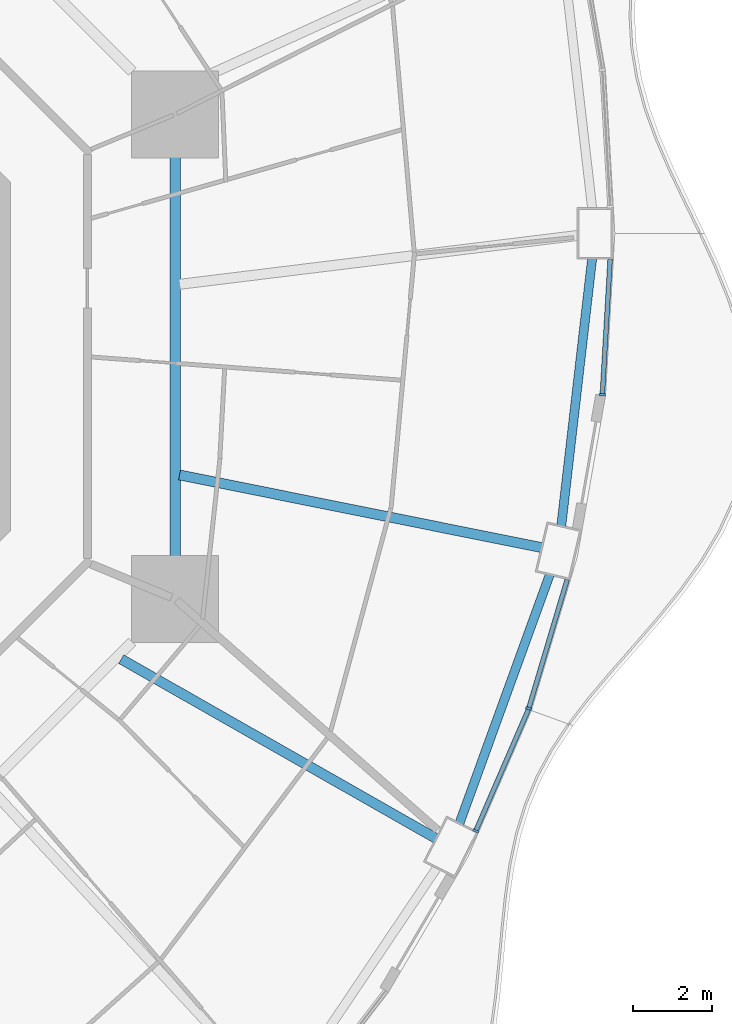
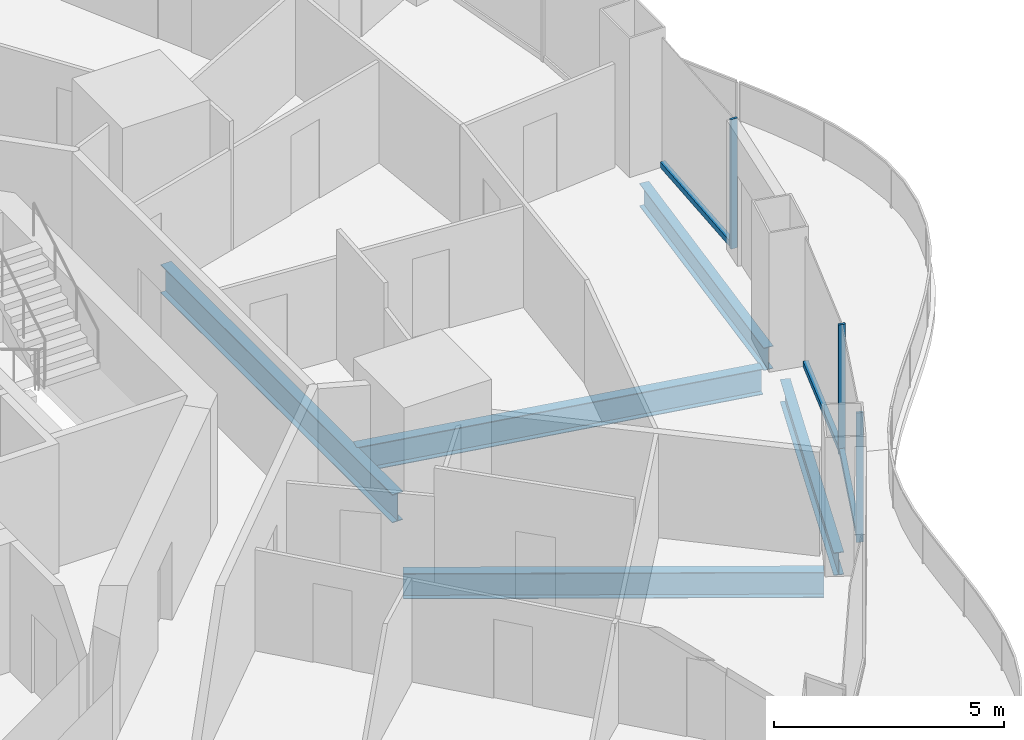
# One storey, part 6 of 22: 6 members, 5 beams, 3 elements without a shape of their own.
"""IFC4 building model written with IfcOpenShell, lengths in metres."""

from ifc_helpers import new_model, si_unit, direction, frame, origin, origin_2d, place, context, subcontext, project, spatial, rectangle, i_section, extrude, material, layer, layer_set, material_profile, profile_set, type_object, element, aggregate, save


model = new_model("IFC4")

# Units and contexts
model_context = context("Model", 3, precision=1e-05, world=origin(), true_north=direction((0.0, 1.0)))
body_context = subcontext(model_context, "Body", "Model", "MODEL_VIEW")
ifc_project = project(units=[si_unit("LENGTHUNIT", "METRE"), si_unit("AREAUNIT", "SQUARE_METRE"), si_unit("VOLUMEUNIT", "CUBIC_METRE"), si_unit("PLANEANGLEUNIT", "RADIAN"), si_unit("MASSUNIT", "GRAM", prefix="KILO")], contexts=[model_context])

# Site, building, storey
site_placement = place(None, origin())
site = spatial("IfcSite", under=ifc_project, at=site_placement, CompositionType="ELEMENT")
building_placement = place(site_placement, origin())
building = spatial("IfcBuilding", under=site, at=building_placement, Name="Nagisa Residences", CompositionType="ELEMENT")
storey_placement = place(building_placement, frame((0.0, 0.0, 84.39990234375)))
storey = spatial("IfcBuildingStorey", under=building, at=storey_placement, Name="L20", CompositionType="ELEMENT", Elevation=84.39990234375)

# Curtain wall, member
ifc_material_1 = material(Name="Concrete-coloured aluminium curtain wall system", Category="concrete")
ifc_layer = layer(ifc_material_1, 0.159912109375)
ifc_layer_set = layer_set([ifc_layer], Name="CW1 CURTAIN WALL")
curtain_wall_type = type_object("IfcCurtainWallType", Name="CW1 CURTAIN WALL", PredefinedType="NOTDEFINED", material=ifc_layer_set)
curtain_wall_1_placement = place(storey_placement, origin())
curtain_wall_1 = element("IfcCurtainWall", 1, at=curtain_wall_1_placement, inside=storey, type_object=curtain_wall_type, Name="cw:CW1:L20:44", PredefinedType="NOTDEFINED")
ifc_material_2 = material(Name="Concrete-coloured aluminium", Category="concrete")
ifc_material_profile_1 = material_profile(ifc_material_2, rectangle(XDim=0.159912109375, YDim=0.06005859375, at=origin_2d()), Name="CW1 MULLION 160x60")
ifc_profile_set_1 = profile_set([ifc_material_profile_1], Name="Concrete-coloured aluminium")
member_type_1 = type_object("IfcMemberType", Name="CW1 MULLION 160x60", PredefinedType="MULLION", material=ifc_profile_set_1)
member_1_placement = place(storey_placement, frame((22.381591796875, -11.984130859375, 0.0), z_axis=(0.0, 0.0, 1.0), x_axis=(-0.917543276295, 0.397635934147, 0.0)))
member_1 = element("IfcMember", 2, at=member_1_placement, type_object=member_type_1, Name="CW1 mullion", PredefinedType="MULLION", context=body_context, shape_type="SweptSolid", body=[
    extrude(rectangle(XDim=0.159912109375, YDim=0.06005859375, at=origin_2d()), origin(), (0.0, 0.0, 1.0), 3.440185546875),
])

curtain_wall_2_placement = place(storey_placement, origin())
curtain_wall_2 = element("IfcCurtainWall", 3, at=curtain_wall_2_placement, inside=storey, type_object=curtain_wall_type, Name="cw:CW1:L20:45", PredefinedType="NOTDEFINED")
member_2_placement = place(storey_placement, frame((23.71875, -8.890869140625, 0.0), z_axis=(0.0, 0.0, 1.0), x_axis=(-0.958271310082, 0.285860274038, 0.0)))
member_2 = element("IfcMember", 4, at=member_2_placement, type_object=member_type_1, Name="CW1 mullion", PredefinedType="MULLION", context=body_context, shape_type="SweptSolid", body=[
    extrude(rectangle(XDim=0.159912109375, YDim=0.06005859375, at=origin_2d()), origin(), (0.0, 0.0, 1.0), 3.440185546875),
])

curtain_wall_3_placement = place(storey_placement, origin())
curtain_wall_3 = element("IfcCurtainWall", 5, at=curtain_wall_3_placement, inside=storey, type_object=curtain_wall_type, Name="cw:CW1:L20:47", PredefinedType="NOTDEFINED")
member_3_placement = place(storey_placement, frame((25.579833984375, -0.961181640625, 0.0), z_axis=(0.0, 0.0, 1.0), x_axis=(-0.998345305184, 0.057503492216, 0.0)))
member_3 = element("IfcMember", 6, at=member_3_placement, type_object=member_type_1, Name="CW1 mullion", PredefinedType="MULLION", context=body_context, shape_type="SweptSolid", body=[
    extrude(rectangle(XDim=0.159912109375, YDim=0.06005859375, at=origin_2d()), origin(), (0.0, 0.0, 1.0), 3.440185546875),
])

# Member
ifc_material_3 = material(Name="Concrete-coloured aluminium", Category="concrete")
ifc_material_profile_2 = material_profile(ifc_material_3, rectangle(XDim=0.1201171875, YDim=0.14990234375, at=origin_2d()), Name="CW1 TRANSOM 120x150")
ifc_profile_set_2 = profile_set([ifc_material_profile_2], Name="Concrete-coloured aluminium")
member_type_2 = type_object("IfcMemberType", Name="CW1 TRANSOM 120x150", PredefinedType="USERDEFINED", material=ifc_profile_set_2)
member_4_placement = place(storey_placement, frame((22.36962890625, -12.011474609375, 0.0751953125), z_axis=(0.397621629246, 0.917549475481, 0.0), x_axis=(-0.917549475481, 0.397621629246, 0.0)))
member_4 = element("IfcMember", 7, at=member_4_placement, type_object=member_type_2, Name="CW1 transom", ObjectType="TRANSOM", PredefinedType="USERDEFINED", context=body_context, shape_type="SweptSolid", body=[
    extrude(rectangle(XDim=0.1201171875, YDim=0.14990234375, at=origin_2d()), origin(), (0.0, 0.0, 1.0), 3.37939453125),
])

aggregate(curtain_wall_1, [member_1, member_4])

member_5_placement = place(storey_placement, frame((23.710205078125, -8.919677734375, 0.0751953125), z_axis=(0.285882094477, 0.958264800594, 0.0), x_axis=(-0.958264800594, 0.285882094477, 0.0)))
member_5 = element("IfcMember", 8, at=member_5_placement, type_object=member_type_2, Name="CW1 transom", ObjectType="TRANSOM", PredefinedType="USERDEFINED", context=body_context, shape_type="SweptSolid", body=[
    extrude(rectangle(XDim=0.1201171875, YDim=0.14990234375, at=origin_2d()), origin(), (0.0, 0.0, 1.0), 3.423583984375),
])

aggregate(curtain_wall_2, [member_2, member_5])

member_6_placement = place(storey_placement, frame((25.578125, -0.9912109375, 0.0751953125), z_axis=(0.057546644052, 0.998342818754, 0.0), x_axis=(-0.998342818754, 0.057546644052, 0.0)))
member_6 = element("IfcMember", 9, at=member_6_placement, type_object=member_type_2, Name="CW1 transom", ObjectType="TRANSOM", PredefinedType="USERDEFINED", context=body_context, shape_type="SweptSolid", body=[
    extrude(rectangle(XDim=0.1201171875, YDim=0.14990234375, at=origin_2d()), origin(), (0.0, 0.0, 1.0), 3.470458984375),
])

aggregate(curtain_wall_3, [member_3, member_6])

# Beams
ifc_material_4 = material(Name="Steel ASTM A572 Gr 50", Category="steel")
ifc_material_profile_3 = material_profile(ifc_material_4, i_section(OverallWidth=0.264892578125, OverallDepth=0.7529296875, WebThickness=0.01318359375, FlangeThickness=0.01708984375, at=origin_2d()), Name="W760x147")
ifc_profile_set_3 = profile_set([ifc_material_profile_3], Name="Steel ASTM A572 Gr 50")
beam_type_1 = type_object("IfcBeamType", Name="Inner ring beam W760x147", PredefinedType="BEAM", material=ifc_profile_set_3)
beam_1_placement = place(storey_placement, frame((14.781982421875, -5.04296875, -0.636474609375), z_axis=(0.0, 1.0, 0.0), x_axis=(-1.0, 0.0, 0.0)))
element("IfcBeam", 10, at=beam_1_placement, inside=storey, type_object=beam_type_1, Name="beam:L20:ib8", PredefinedType="BEAM", context=body_context, shape_type="SweptSolid", body=[
    extrude(i_section(OverallWidth=0.264892578125, OverallDepth=0.7529296875, WebThickness=0.01318359375, FlangeThickness=0.01708984375, at=origin_2d()), origin(), (0.0, 0.0, 1.0), 10.0859375),
])
ifc_material_5 = material(Name="Steel ASTM A572 Gr 50", Category="steel")
ifc_material_profile_4 = material_profile(ifc_material_5, i_section(OverallWidth=0.22802734375, OverallDepth=0.60302734375, WebThickness=0.010498046875, FlangeThickness=0.014892578125, at=origin_2d()), Name="W610x101")
ifc_profile_set_4 = profile_set([ifc_material_profile_4], Name="Steel ASTM A572 Gr 50")
beam_type_2 = type_object("IfcBeamType", Name="Perimeter ring beam W610x101", PredefinedType="BEAM", material=ifc_profile_set_4)
beam_2_placement = place(storey_placement, frame((21.96826171875, -11.793212890625, -0.5615234375), z_axis=(0.341365002286, 0.939930814057, 0.0), x_axis=(-0.939930814057, 0.341365002286, 0.0)))
element("IfcBeam", 11, at=beam_2_placement, inside=storey, type_object=beam_type_2, Name="beam:L20:pb23", PredefinedType="BEAM", context=body_context, shape_type="SweptSolid", body=[
    extrude(i_section(OverallWidth=0.22802734375, OverallDepth=0.60302734375, WebThickness=0.010498046875, FlangeThickness=0.014892578125, at=origin_2d()), origin(), (0.0, 0.0, 1.0), 6.689208984375),
])
beam_3_placement = place(storey_placement, frame((24.541015625, -4.279296875, -0.5615234375), z_axis=(0.114690766503, 0.993401242237, 0.0), x_axis=(-0.993401242237, 0.114690766503, 0.0)))
element("IfcBeam", 12, at=beam_3_placement, inside=storey, type_object=beam_type_2, Name="beam:L20:pb24", PredefinedType="BEAM", context=body_context, shape_type="SweptSolid", body=[
    extrude(i_section(OverallWidth=0.22802734375, OverallDepth=0.60302734375, WebThickness=0.010498046875, FlangeThickness=0.014892578125, at=origin_2d()), origin(), (0.0, 0.0, 1.0), 6.811767578125),
])
ifc_material_6 = material(Name="Steel ASTM A572 Gr 50", Category="steel")
ifc_material_profile_5 = material_profile(ifc_material_6, i_section(OverallWidth=0.2529296875, OverallDepth=0.677978515625, WebThickness=0.01171875, FlangeThickness=0.016357421875, at=origin_2d()), Name="W690x125")
ifc_profile_set_5 = profile_set([ifc_material_profile_5], Name="Steel ASTM A572 Gr 50")
beam_type_3 = type_object("IfcBeamType", Name="Radial beam W690x125", PredefinedType="BEAM", material=ifc_profile_set_5)
beam_4_placement = place(storey_placement, frame((21.37744140625, -12.1767578125, -0.598876953125), z_axis=(-0.868924854865, 0.494944033804, 0.0), x_axis=(-0.494944033804, -0.868924854865, 0.0)))
element("IfcBeam", 13, at=beam_4_placement, inside=storey, type_object=beam_type_3, Name="beam:L20:rb23", PredefinedType="BEAM", context=body_context, shape_type="SweptSolid", body=[
    extrude(i_section(OverallWidth=0.2529296875, OverallDepth=0.677978515625, WebThickness=0.01171875, FlangeThickness=0.016357421875, at=origin_2d()), origin(), (0.0, 0.0, 1.0), 9.156982421875),
])
beam_5_placement = place(storey_placement, frame((24.046630859375, -4.824951171875, -0.598876953125), z_axis=(-0.980459769656, 0.196719699282, 0.0), x_axis=(-0.196719699282, -0.980459769656, 0.0)))
element("IfcBeam", 14, at=beam_5_placement, inside=storey, type_object=beam_type_3, Name="beam:L20:rb24", PredefinedType="BEAM", context=body_context, shape_type="SweptSolid", body=[
    extrude(i_section(OverallWidth=0.2529296875, OverallDepth=0.677978515625, WebThickness=0.01171875, FlangeThickness=0.016357421875, at=origin_2d()), origin(), (0.0, 0.0, 1.0), 9.333984375),
])

save(model, "model.ifc")
